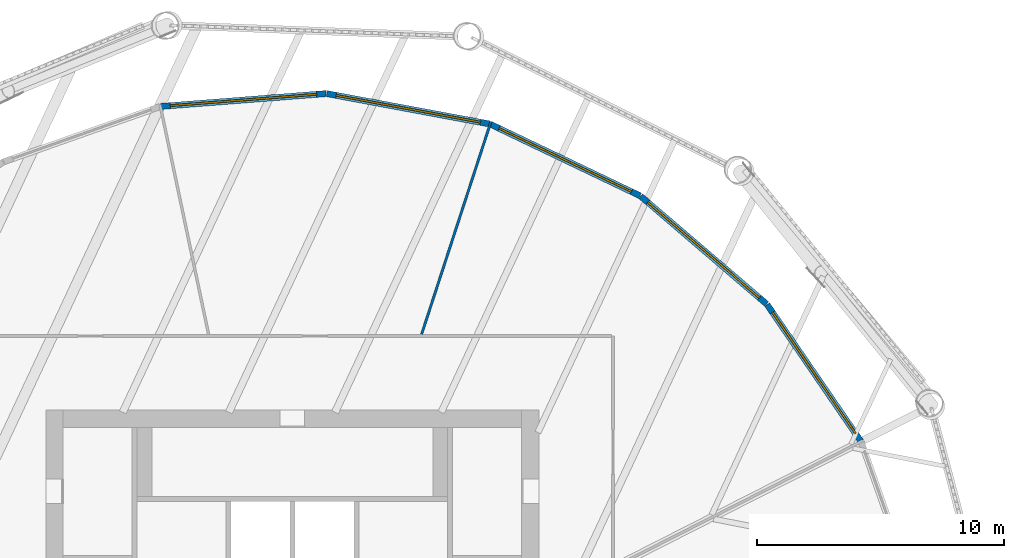
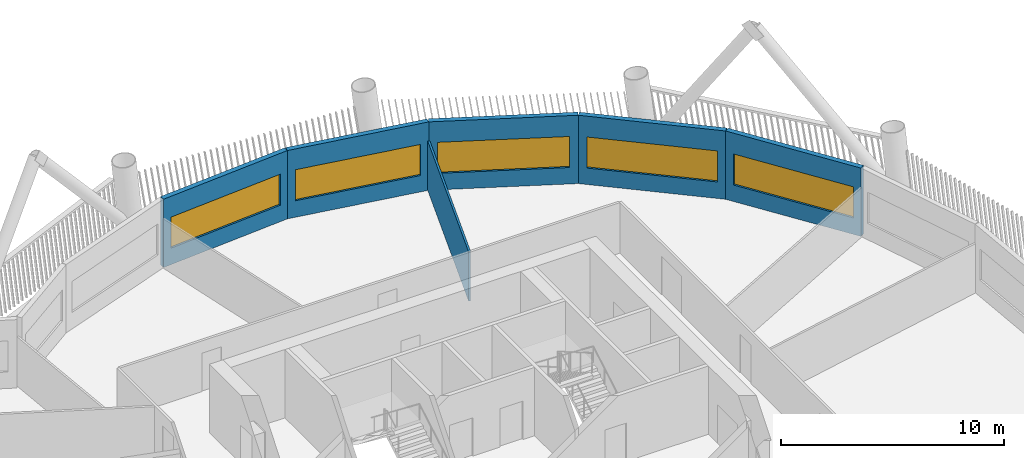
# One storey, part 7 of 24: 6 walls, 5 windows, 5 openings.
"""IFC4 building model written with IfcOpenShell, lengths in metres."""

from ifc_helpers import new_model, si_unit, direction, frame, frame_2d, origin, place, context, subcontext, project, spatial, rectangle, extrude, material, layer, layer_set, type_object, element, fill, save


model = new_model("IFC4")

# Units and contexts
model_context = context("Model", 3, precision=1e-05, world=origin(), true_north=direction((0.0, 1.0)))
body_context = subcontext(model_context, "Body", "Model", "MODEL_VIEW")
ifc_project = project(units=[si_unit("LENGTHUNIT", "METRE"), si_unit("AREAUNIT", "SQUARE_METRE"), si_unit("VOLUMEUNIT", "CUBIC_METRE"), si_unit("PLANEANGLEUNIT", "RADIAN"), si_unit("MASSUNIT", "GRAM", prefix="KILO")], contexts=[model_context])

# Site, building, storey
site_placement = place(None, origin())
site = spatial("IfcSite", under=ifc_project, at=site_placement, CompositionType="ELEMENT")
building_placement = place(site_placement, origin())
building = spatial("IfcBuilding", under=site, at=building_placement, Name="Tarsis Ring Headquarters", CompositionType="ELEMENT")
storey_placement = place(building_placement, frame((0.0, 0.0, 178.800048828125)))
storey = spatial("IfcBuildingStorey", under=building, at=storey_placement, Name="L41", CompositionType="ELEMENT", Elevation=178.800048828125)

# Wall
ifc_material_1 = material(Name="Gypsum board on steel studs", Category="steel")
ifc_layer_1 = layer(ifc_material_1, 0.10009765625)
ifc_layer_set_1 = layer_set([ifc_layer_1], Name="FL partition 100 unrated")
wall_type_1 = type_object("IfcWallType", Name="FL partition 100 unrated", PredefinedType="PARTITIONING", material=ifc_layer_set_1)
wall_1_placement = place(storey_placement, frame((5.241943359375, 16.076171875, 0.0), z_axis=(0.0, 0.0, 1.0), x_axis=(0.310030153406, 0.950726724132, 0.0)))
element("IfcWall", 1, at=wall_1_placement, inside=storey, type_object=wall_type_1, Name="Partition PW3", PredefinedType="PARTITIONING", context=body_context, shape_type="SweptSolid", body=[
    extrude(rectangle(XDim=9.03857421875, YDim=0.10009765625, at=frame_2d((4.519287109375, 0.0))), origin(), (0.0, 0.0, 1.0), 2.699951171875),
])

# Wall, opening, window
ifc_material_2 = material(Name="Terracotta clad insulated panel wall", Category="masonry")
ifc_layer_2 = layer(ifc_material_2, 0.25)
ifc_layer_set_2 = layer_set([ifc_layer_2], Name="Facade wall terracotta panel 250")
wall_type_2 = type_object("IfcWallType", Name="Facade wall terracotta panel 250", PredefinedType="STANDARD", material=ifc_layer_set_2)
wall_2_placement = place(storey_placement, frame((23.056884765625, 11.73583984375, 0.0), z_axis=(0.0, 0.0, 1.0), x_axis=(-0.565532590751, 0.824725947693, 0.0)))
wall_2 = element("IfcWall", 2, at=wall_2_placement, inside=storey, type_object=wall_type_2, Name="External wall L41-24", PredefinedType="STANDARD", context=body_context, shape_type="SweptSolid", body=[
    extrude(rectangle(XDim=6.7216796875, YDim=0.25, at=frame_2d((3.36083984375, 0.0))), origin(), (0.0, 0.0, 1.0), 3.739990234375),
])
opening_1_placement = place(wall_2_placement, frame((0.3857421875, 0.0, 0.89990234375)))
opening_1 = element("IfcOpeningElement", 3, at=opening_1_placement, cuts=wall_2, Name="Opening WN07", PredefinedType="OPENING", context=body_context, shape_type="SweptSolid", body=[
    extrude(rectangle(XDim=5.949951171875, YDim=1.699951171875, at=frame_2d((2.97509765625, 0.85009765625))), frame((0.0, 0.135009765625, 0.0), z_axis=(0.0, -1.0, 0.0), x_axis=(1.0, 0.0, 0.0)), (0.0, 0.0, 1.0), 0.27001953125),
])
ifc_material_3 = material(Name="Aluminium framed double glazing", Category="aluminium")
window_type = type_object("IfcWindowType", Name="Facade window 5950 x 1700", PartitioningType="SINGLE_PANEL", PredefinedType="WINDOW", material=ifc_material_3)
window_1_placement = place(opening_1_placement, origin())
window_1 = element("IfcWindow", 4, at=window_1_placement, inside=storey, type_object=window_type, Name="Window L41-24.1", OverallHeight=1.699951171875, OverallWidth=5.949951171875, PartitioningType="SINGLE_PANEL", PredefinedType="WINDOW", context=body_context, shape_type="SweptSolid", body=[
    extrude(rectangle(XDim=5.949951171875, YDim=1.699951171875, at=frame_2d((2.97509765625, 0.85009765625))), frame((0.0, 0.030029296875, 0.0), z_axis=(0.0, -1.0, 0.0), x_axis=(1.0, 0.0, 0.0)), (0.0, 0.0, 1.0), 0.06005859375),
])
fill(opening_1, window_1)

wall_3_placement = place(storey_placement, frame((19.233642578125, 17.303466796875, 0.0), z_axis=(0.0, 0.0, 1.0), x_axis=(-0.759705101993, 0.650267758701, 0.0)))
wall_3 = element("IfcWall", 5, at=wall_3_placement, inside=storey, type_object=wall_type_2, Name="External wall L41-25", PredefinedType="STANDARD", context=body_context, shape_type="SweptSolid", body=[
    extrude(rectangle(XDim=6.7216796875, YDim=0.25, at=frame_2d((3.36083984375, 0.0))), origin(), (0.0, 0.0, 1.0), 3.739990234375),
])
opening_2_placement = place(wall_3_placement, frame((0.3857421875, 0.0, 0.89990234375)))
opening_2 = element("IfcOpeningElement", 6, at=opening_2_placement, cuts=wall_3, Name="Opening WN07", PredefinedType="OPENING", context=body_context, shape_type="SweptSolid", body=[
    extrude(rectangle(XDim=5.949951171875, YDim=1.699951171875, at=frame_2d((2.97509765625, 0.85009765625))), frame((0.0, 0.135009765625, 0.0), z_axis=(0.0, -1.0, 0.0), x_axis=(1.0, 0.0, 0.0)), (0.0, 0.0, 1.0), 0.27001953125),
])
window_2_placement = place(opening_2_placement, origin())
window_2 = element("IfcWindow", 7, at=window_2_placement, inside=storey, type_object=window_type, Name="Window L41-25.1", OverallHeight=1.699951171875, OverallWidth=5.949951171875, PartitioningType="SINGLE_PANEL", PredefinedType="WINDOW", context=body_context, shape_type="SweptSolid", body=[
    extrude(rectangle(XDim=5.949951171875, YDim=1.699951171875, at=frame_2d((2.97509765625, 0.85009765625))), frame((0.0, 0.030029296875, 0.0), z_axis=(0.0, -1.0, 0.0), x_axis=(1.0, 0.0, 0.0)), (0.0, 0.0, 1.0), 0.06005859375),
])
fill(opening_2, window_2)

wall_4_placement = place(storey_placement, frame((14.099853515625, 21.692138671875, 0.0), z_axis=(0.0, 0.0, 1.0), x_axis=(-0.902142212433, 0.431438788875, 0.0)))
wall_4 = element("IfcWall", 8, at=wall_4_placement, inside=storey, type_object=wall_type_2, Name="External wall L41-26", PredefinedType="STANDARD", context=body_context, shape_type="SweptSolid", body=[
    extrude(rectangle(XDim=6.721435546875, YDim=0.25, at=frame_2d((3.36083984375, 0.0))), origin(), (0.0, 0.0, 1.0), 3.739990234375),
])
opening_3_placement = place(wall_4_placement, frame((0.3857421875, 0.0, 0.89990234375)))
opening_3 = element("IfcOpeningElement", 9, at=opening_3_placement, cuts=wall_4, Name="Opening WN07", PredefinedType="OPENING", context=body_context, shape_type="SweptSolid", body=[
    extrude(rectangle(XDim=5.949951171875, YDim=1.699951171875, at=frame_2d((2.97509765625, 0.85009765625))), frame((0.0, 0.135009765625, 0.0), z_axis=(0.0, -1.0, 0.0), x_axis=(1.0, 0.0, 0.0)), (0.0, 0.0, 1.0), 0.27001953125),
])
window_3_placement = place(opening_3_placement, origin())
window_3 = element("IfcWindow", 10, at=window_3_placement, inside=storey, type_object=window_type, Name="Window L41-26.1", OverallHeight=1.699951171875, OverallWidth=5.949951171875, PartitioningType="SINGLE_PANEL", PredefinedType="WINDOW", context=body_context, shape_type="SweptSolid", body=[
    extrude(rectangle(XDim=5.949951171875, YDim=1.699951171875, at=frame_2d((2.97509765625, 0.85009765625))), frame((0.0, 0.030029296875, 0.0), z_axis=(0.0, -1.0, 0.0), x_axis=(1.0, 0.0, 0.0)), (0.0, 0.0, 1.0), 0.06005859375),
])
fill(opening_3, window_3)

wall_5_placement = place(storey_placement, frame((8.005126953125, 24.602294921875, 0.0), z_axis=(0.0, 0.0, 1.0), x_axis=(-0.983066953713, 0.183246731258, 0.0)))
wall_5 = element("IfcWall", 11, at=wall_5_placement, inside=storey, type_object=wall_type_2, Name="External wall L41-27", PredefinedType="STANDARD", context=body_context, shape_type="SweptSolid", body=[
    extrude(rectangle(XDim=6.721435546875, YDim=0.25, at=frame_2d((3.36083984375, 0.0))), origin(), (0.0, 0.0, 1.0), 3.739990234375),
])
opening_4_placement = place(wall_5_placement, frame((0.3857421875, 0.0, 0.89990234375)))
opening_4 = element("IfcOpeningElement", 12, at=opening_4_placement, cuts=wall_5, Name="Opening WN07", PredefinedType="OPENING", context=body_context, shape_type="SweptSolid", body=[
    extrude(rectangle(XDim=5.949951171875, YDim=1.699951171875, at=frame_2d((2.97509765625, 0.85009765625))), frame((0.0, 0.135009765625, 0.0), z_axis=(0.0, -1.0, 0.0), x_axis=(1.0, 0.0, 0.0)), (0.0, 0.0, 1.0), 0.27001953125),
])
window_4_placement = place(opening_4_placement, origin())
window_4 = element("IfcWindow", 13, at=window_4_placement, inside=storey, type_object=window_type, Name="Window L41-27.1", OverallHeight=1.699951171875, OverallWidth=5.949951171875, PartitioningType="SINGLE_PANEL", PredefinedType="WINDOW", context=body_context, shape_type="SweptSolid", body=[
    extrude(rectangle(XDim=5.949951171875, YDim=1.699951171875, at=frame_2d((2.97509765625, 0.85009765625))), frame((0.0, 0.030029296875, 0.0), z_axis=(0.0, -1.0, 0.0), x_axis=(1.0, 0.0, 0.0)), (0.0, 0.0, 1.0), 0.06005859375),
])
fill(opening_4, window_4)

wall_6_placement = place(storey_placement, frame((1.36474609375, 25.835693359375, 0.0), z_axis=(0.0, 0.0, 1.0), x_axis=(-0.996999966702, -0.077401979272, 0.0)))
wall_6 = element("IfcWall", 14, at=wall_6_placement, inside=storey, type_object=wall_type_2, Name="External wall L41-28", PredefinedType="STANDARD", context=body_context, shape_type="SweptSolid", body=[
    extrude(rectangle(XDim=6.7216796875, YDim=0.25, at=frame_2d((3.36083984375, 0.0))), origin(), (0.0, 0.0, 1.0), 3.739990234375),
])
opening_5_placement = place(wall_6_placement, frame((0.3857421875, 0.0, 0.89990234375)))
opening_5 = element("IfcOpeningElement", 15, at=opening_5_placement, cuts=wall_6, Name="Opening WN07", PredefinedType="OPENING", context=body_context, shape_type="SweptSolid", body=[
    extrude(rectangle(XDim=5.949951171875, YDim=1.699951171875, at=frame_2d((2.97509765625, 0.85009765625))), frame((0.0, 0.135009765625, 0.0), z_axis=(0.0, -1.0, 0.0), x_axis=(1.0, 0.0, 0.0)), (0.0, 0.0, 1.0), 0.27001953125),
])
window_5_placement = place(opening_5_placement, origin())
window_5 = element("IfcWindow", 16, at=window_5_placement, inside=storey, type_object=window_type, Name="Window L41-28.1", OverallHeight=1.699951171875, OverallWidth=5.949951171875, PartitioningType="SINGLE_PANEL", PredefinedType="WINDOW", context=body_context, shape_type="SweptSolid", body=[
    extrude(rectangle(XDim=5.949951171875, YDim=1.699951171875, at=frame_2d((2.97509765625, 0.85009765625))), frame((0.0, 0.030029296875, 0.0), z_axis=(0.0, -1.0, 0.0), x_axis=(1.0, 0.0, 0.0)), (0.0, 0.0, 1.0), 0.06005859375),
])
fill(opening_5, window_5)

save(model, "model.ifc")
